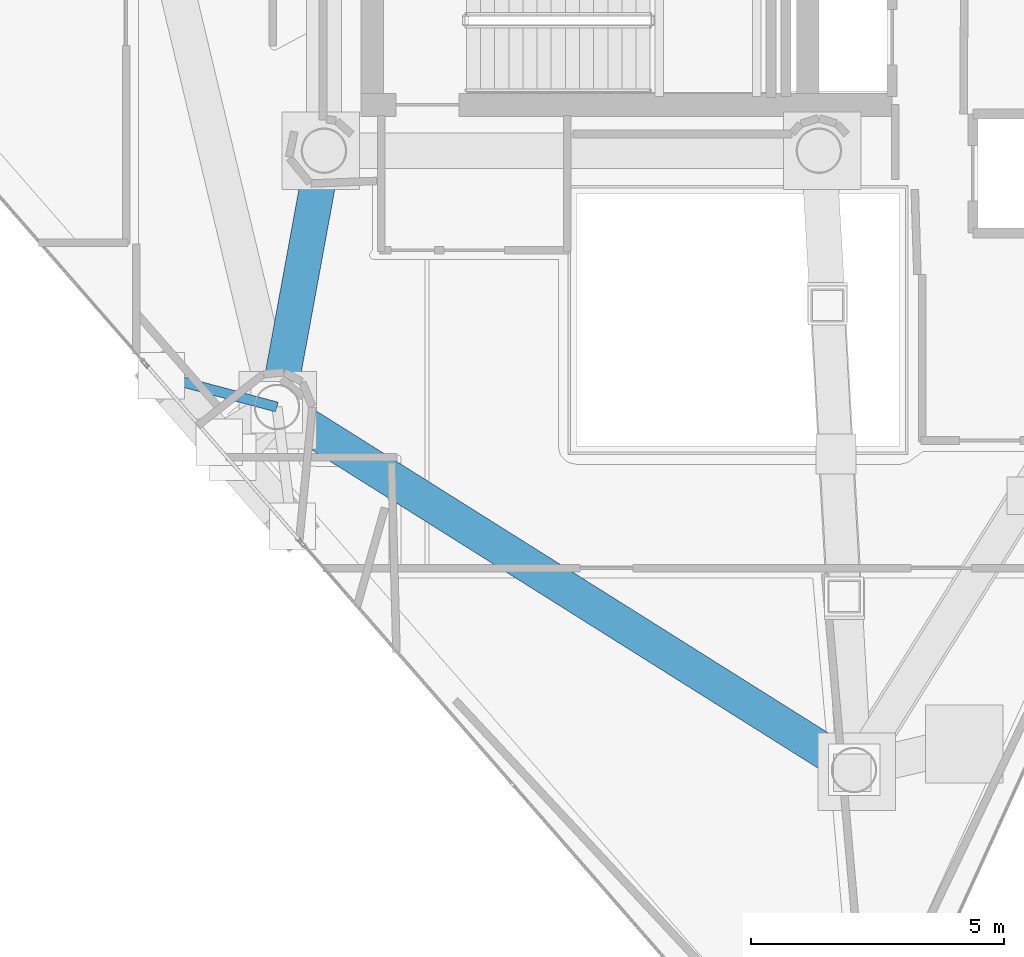
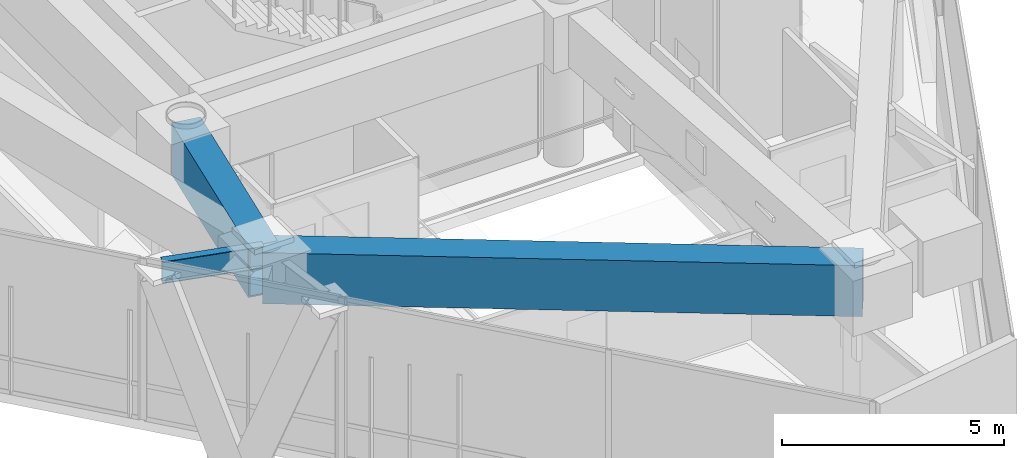
# One storey, part 3 of 20: 3 beams.
"""IFC4 building model written with IfcOpenShell, lengths in metres."""

from ifc_helpers import new_model, si_unit, direction, frame, origin, origin_2d, place, context, subcontext, project, spatial, hollow_rectangle, i_section, extrude, material, material_profile, profile_set, type_object, element, save


model = new_model("IFC4")

# Units and contexts
model_context = context("Model", 3, precision=1e-05, world=origin(), true_north=direction((0.0, 1.0)))
body_context = subcontext(model_context, "Body", "Model", "MODEL_VIEW")
ifc_project = project(units=[si_unit("LENGTHUNIT", "METRE"), si_unit("AREAUNIT", "SQUARE_METRE"), si_unit("VOLUMEUNIT", "CUBIC_METRE"), si_unit("PLANEANGLEUNIT", "RADIAN"), si_unit("MASSUNIT", "GRAM", prefix="KILO")], contexts=[model_context])

# Site, building, storey
site_placement = place(None, origin())
site = spatial("IfcSite", under=ifc_project, at=site_placement, CompositionType="ELEMENT")
building_placement = place(site_placement, origin())
building = spatial("IfcBuilding", under=site, at=building_placement, Name="Qianvela Tower", CompositionType="ELEMENT")
storey_placement = place(building_placement, frame((0.0, 0.0, 321.300048828125)))
storey = spatial("IfcBuildingStorey", under=building, at=storey_placement, Name="L83", CompositionType="ELEMENT", Elevation=321.300048828125)

# Beams
ifc_material_1 = material(Name="Steel Q355B", Category="steel")
ifc_material_profile_1 = material_profile(ifc_material_1, i_section(OverallWidth=0.199951171875, OverallDepth=0.60009765625, WebThickness=0.010986328125, FlangeThickness=0.01708984375, at=origin_2d()), Name="HN600x200x11x17")
ifc_profile_set_1 = profile_set([ifc_material_profile_1], Name="Steel Q355B")
beam_type_1 = type_object("IfcBeamType", Name="BM-HN600-GIRD", PredefinedType="BEAM", material=ifc_profile_set_1)
beam_1_placement = place(storey_placement, frame((27.669921875, 18.77392578125, 4.117919921875), z_axis=(-0.966442564252, 0.256882794291, 0.0), x_axis=(-0.256882794291, -0.966442564252, 0.0)))
element("IfcBeam", 1, at=beam_1_placement, inside=storey, type_object=beam_type_1, Name="L83 Mega-Brace Column Tie Bracket F2-1", PredefinedType="BEAM", context=body_context, shape_type="SweptSolid", body=[
    extrude(i_section(OverallWidth=0.199951171875, OverallDepth=0.60009765625, WebThickness=0.010986328125, FlangeThickness=0.01708984375, at=origin_2d()), origin(), (0.0, 0.0, 1.0), 2.35791015625),
])
ifc_material_2 = material(Name="Steel Q420GJC", Category="steel")
ifc_material_profile_2 = material_profile(ifc_material_2, hollow_rectangle(XDim=0.699951171875, YDim=1.39990234375, WallThickness=0.0400390625, at=origin_2d()), Name="TG-BOX-1400x700x40")
ifc_profile_set_2 = profile_set([ifc_material_profile_2], Name="Steel Q420GJC")
beam_type_2 = type_object("IfcBeamType", Name="BM-TG-RAD-1400", PredefinedType="BEAM", material=ifc_profile_set_2)
beam_2_placement = place(storey_placement, frame((27.669921875, 18.77392578125, 3.718017578125), z_axis=(0.846504270846, -0.532381930046, 0.0), x_axis=(0.532381930046, 0.846504270846, 0.0)))
element("IfcBeam", 2, at=beam_2_placement, inside=storey, type_object=beam_type_2, Name="L83 Perimeter Belt-Truss Top Ring Girder 4", PredefinedType="BEAM", context=body_context, shape_type="SweptSolid", body=[
    extrude(hollow_rectangle(XDim=0.699951171875, YDim=1.39990234375, WallThickness=0.0400390625, at=origin_2d()), origin(), (0.0, 0.0, 1.0), 13.497802734375),
])
beam_3_placement = place(storey_placement, frame((28.60009765625, 23.85009765625, 3.718017578125), z_axis=(-0.180242432023, -0.983622216961, 0.0), x_axis=(0.983622216961, -0.180242432023, 0.0)))
element("IfcBeam", 3, at=beam_3_placement, inside=storey, type_object=beam_type_2, Name="L83 Radial Outrigger Top Transfer Girder 4", PredefinedType="BEAM", context=body_context, shape_type="SweptSolid", body=[
    extrude(hollow_rectangle(XDim=0.699951171875, YDim=1.39990234375, WallThickness=0.0400390625, at=origin_2d()), origin(), (0.0, 0.0, 1.0), 5.16064453125),
])

save(model, "model.ifc")
